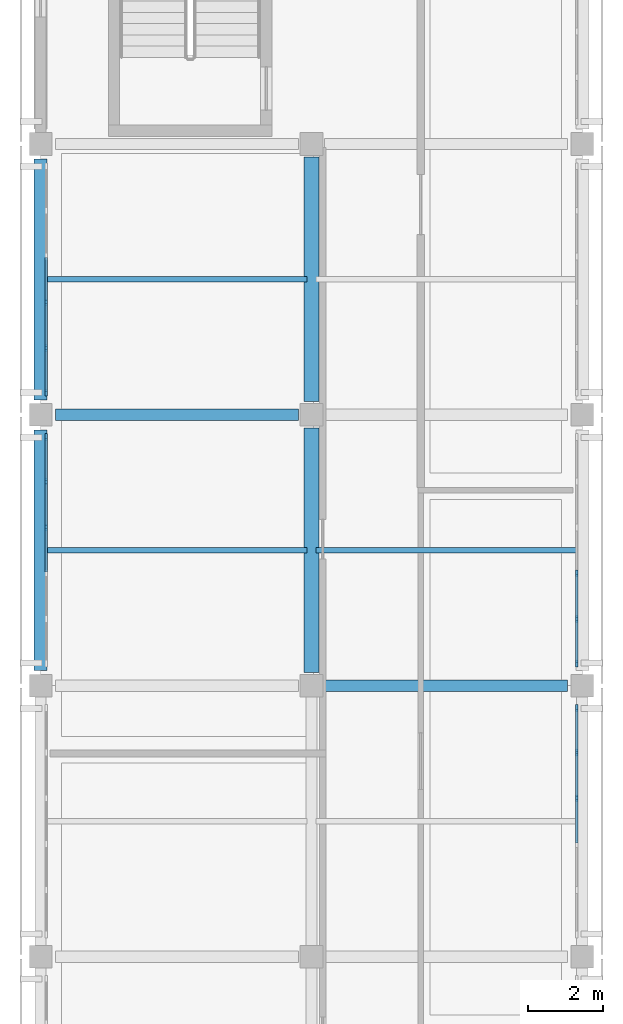
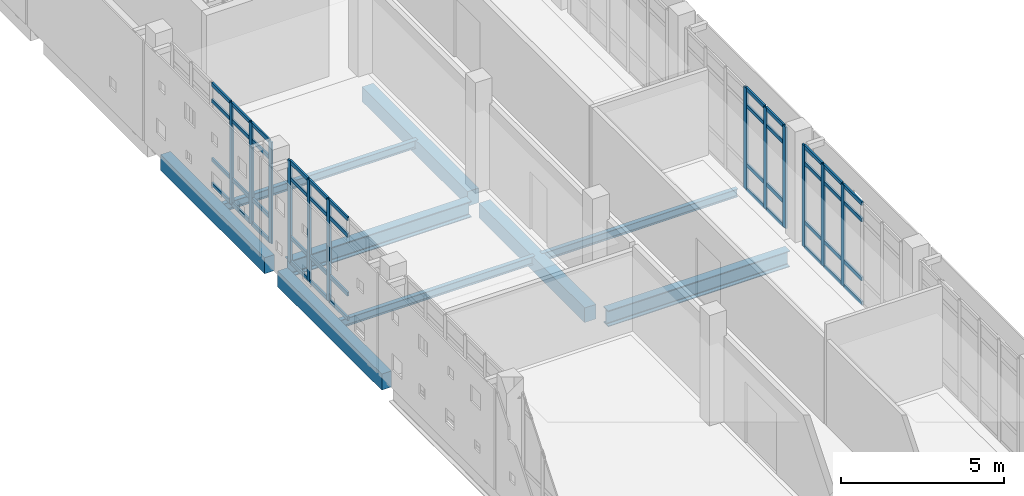
# One storey, part 6 of 21: 56 members, 9 beams, 4 elements without a shape of their own.
"""IFC4 building model written with IfcOpenShell, lengths in metres."""

from ifc_helpers import new_model, si_unit, direction, frame, origin, origin_2d, place, context, subcontext, project, spatial, rectangle, i_section, extrude, material, layer, layer_set, material_profile, profile_set, type_object, element, aggregate, save


model = new_model("IFC4")

# Units and contexts
model_context = context("Model", 3, precision=1e-05, world=origin(), true_north=direction((0.0, 1.0)))
body_context = subcontext(model_context, "Body", "Model", "MODEL_VIEW")
ifc_project = project(units=[si_unit("LENGTHUNIT", "METRE"), si_unit("AREAUNIT", "SQUARE_METRE"), si_unit("VOLUMEUNIT", "CUBIC_METRE"), si_unit("PLANEANGLEUNIT", "RADIAN"), si_unit("MASSUNIT", "GRAM", prefix="KILO")], contexts=[model_context])

# Site, building, storey
site_placement = place(None, origin())
site = spatial("IfcSite", under=ifc_project, at=site_placement, CompositionType="ELEMENT")
building_placement = place(site_placement, origin())
building = spatial("IfcBuilding", under=site, at=building_placement, Name="Valkovuoma Quantum and Materials Research Institute", CompositionType="ELEMENT")
storey_placement = place(building_placement, frame((0.0, 0.0, 29.760009765625)))
storey = spatial("IfcBuildingStorey", under=building, at=storey_placement, Name="L07", CompositionType="ELEMENT", Elevation=29.760009765625)

# Beams
ifc_material_1 = material(Name="Steel S355J2", Category="steel")
ifc_material_profile_1 = material_profile(ifc_material_1, i_section(OverallWidth=0.300048828125, OverallDepth=0.60009765625, WebThickness=0.015380859375, FlangeThickness=0.030029296875, FilletRadius=0.027099609375, at=origin_2d()), Name="Steel S355J2")
ifc_profile_set_1 = profile_set([ifc_material_profile_1], Name="Steel S355J2")
beam_type_1 = type_object("IfcBeamType", Name="Beam-B-HEB600", PredefinedType="BEAM", material=ifc_profile_set_1)
beam_1_placement = place(storey_placement, frame((7.550048828125, 57.60009765625, -0.64990234375), z_axis=(1.0, 0.0, 0.0), x_axis=(0.0, 1.0, 0.0)))
element("IfcBeam", 1, at=beam_1_placement, inside=storey, type_object=beam_type_1, Name="L07 beam X-2499", PredefinedType="BEAM", context=body_context, shape_type="SweptSolid", body=[
    extrude(i_section(OverallWidth=0.300048828125, OverallDepth=0.60009765625, WebThickness=0.015380859375, FlangeThickness=0.030029296875, FilletRadius=0.027099609375, at=origin_2d()), origin(), (0.0, 0.0, 1.0), 6.449951171875),
])
beam_2_placement = place(storey_placement, frame((0.39990234375, 64.800048828125, -0.64990234375), z_axis=(1.0, 0.0, 0.0), x_axis=(0.0, 1.0, 0.0)))
element("IfcBeam", 2, at=beam_2_placement, inside=storey, type_object=beam_type_1, Name="L07 beam X-2500", PredefinedType="BEAM", context=body_context, shape_type="SweptSolid", body=[
    extrude(i_section(OverallWidth=0.300048828125, OverallDepth=0.60009765625, WebThickness=0.015380859375, FlangeThickness=0.030029296875, FilletRadius=0.027099609375, at=origin_2d()), origin(), (0.0, 0.0, 1.0), 6.4501953125),
])
ifc_material_2 = material(Name="Steel S355J2", Category="steel")
ifc_material_profile_2 = material_profile(ifc_material_2, i_section(OverallWidth=0.14990234375, OverallDepth=0.300048828125, WebThickness=0.007080078125, FlangeThickness=0.0107421875, FilletRadius=0.014892578125, at=origin_2d()), Name="Steel S355J2")
ifc_profile_set_2 = profile_set([ifc_material_profile_2], Name="Steel S355J2")
beam_type_2 = type_object("IfcBeamType", Name="Beam-B-JST300", PredefinedType="JOIST", material=ifc_profile_set_2)
for number, where, z_axis, x_axis, name in (
    (3, (0.1201171875, 61.199951171875, -0.5), (1.0, 0.0, 0.0), (0.0, 1.0, 0.0), "L07 floor joist 2526"),
    (4, (7.320068359375, 61.199951171875, -0.5), (1.0, 0.0, 0.0), (0.0, 1.0, 0.0), "L07 floor joist 2527"),
    (5, (0.1201171875, 68.39990234375, -0.5), (1.0, 0.0, 0.0), (0.0, 1.0, 0.0), "L07 floor joist 2528"),
):
    element("IfcBeam", number, at=place(storey_placement, frame(where, z_axis=z_axis, x_axis=x_axis)), inside=storey, type_object=beam_type_2, Name=name, PredefinedType="JOIST", context=body_context, shape_type="SweptSolid", body=[
        extrude(i_section(OverallWidth=0.14990234375, OverallDepth=0.300048828125, WebThickness=0.007080078125, FlangeThickness=0.0107421875, FilletRadius=0.014892578125, at=origin_2d()), origin(), (0.0, 0.0, 1.0), 6.9599609375),
    ])
ifc_material_3 = material(Name="Concrete C40/50", Category="concrete")
ifc_material_profile_3 = material_profile(ifc_material_3, rectangle(XDim=0.39990234375, YDim=0.550048828125, at=origin_2d()), Name="Concrete C40/50")
ifc_profile_set_3 = profile_set([ifc_material_profile_3], Name="Concrete C40/50")
beam_type_3 = type_object("IfcBeamType", Name="Beam-B-RC550", PredefinedType="BEAM", material=ifc_profile_set_3)
for number, where, z_axis, x_axis, name in (
    (6, (7.199951171875, 57.949951171875, -0.625), (0.0, 1.0, 0.0), (-1.0, 0.0, 0.0), "L07 beam Y-2513"),
    (7, (7.199951171875, 65.14990234375, -0.625), (0.0, 1.0, 0.0), (-1.0, 0.0, 0.0), "L07 beam Y-2514"),
):
    element("IfcBeam", number, at=place(storey_placement, frame(where, z_axis=z_axis, x_axis=x_axis)), inside=storey, type_object=beam_type_3, Name=name, PredefinedType="BEAM", context=body_context, shape_type="SweptSolid", body=[
        extrude(rectangle(XDim=0.39990234375, YDim=0.550048828125, at=origin_2d()), origin(), (0.0, 0.0, 1.0), 6.5),
    ])
ifc_material_4 = material(Name="Concrete C40/50", Category="concrete")
ifc_material_profile_4 = material_profile(ifc_material_4, rectangle(XDim=0.35009765625, YDim=0.60009765625, at=origin_2d()), Name="Concrete C40/50")
ifc_profile_set_4 = profile_set([ifc_material_profile_4], Name="Concrete C40/50")
beam_type_4 = type_object("IfcBeamType", Name="Beam-B-SPN600", PredefinedType="SPANDREL", material=ifc_profile_set_4)
beam_3_placement = place(storey_placement, frame((0.0, 58.0, -0.64990234375), z_axis=(0.0, 1.0, 0.0), x_axis=(-1.0, 0.0, 0.0)))
element("IfcBeam", 8, at=beam_3_placement, inside=storey, type_object=beam_type_4, Name="L07 beam Y-2508", PredefinedType="SPANDREL", context=body_context, shape_type="SweptSolid", body=[
    extrude(rectangle(XDim=0.35009765625, YDim=0.60009765625, at=origin_2d()), origin(), (0.0, 0.0, 1.0), 6.39990234375),
])
beam_4_placement = place(storey_placement, frame((0.0, 65.199951171875, -0.64990234375), z_axis=(0.0, 1.0, 0.0), x_axis=(-1.0, 0.0, 0.0)))
element("IfcBeam", 9, at=beam_4_placement, inside=storey, type_object=beam_type_4, Name="L07 beam Y-2509", PredefinedType="SPANDREL", context=body_context, shape_type="SweptSolid", body=[
    extrude(rectangle(XDim=0.35009765625, YDim=0.60009765625, at=origin_2d()), origin(), (0.0, 0.0, 1.0), 6.400146484375),
])

# Curtain wall, members
ifc_material_5 = material(Name="Thermally broken aluminium and triple low-E glazing", Category="aluminium")
ifc_layer = layer(ifc_material_5, 0.219970703125)
ifc_layer_set = layer_set([ifc_layer], Name="Thermally broken aluminium and triple low-E glazing")
curtain_wall_type = type_object("IfcCurtainWallType", Name="CW-CW-01", PredefinedType="NOTDEFINED", material=ifc_layer_set)
curtain_wall_1_placement = place(storey_placement, origin())
curtain_wall_1 = element("IfcCurtainWall", 10, at=curtain_wall_1_placement, inside=storey, type_object=curtain_wall_type, Name="L07 curtain wall 099", PredefinedType="NOTDEFINED")
ifc_material_6 = material(Name="Anodised aluminium 6060-T66", Category="aluminium")
ifc_material_profile_5 = material_profile(ifc_material_6, rectangle(XDim=0.06494140625, YDim=0.179931640625, at=origin_2d()), Name="Anodised aluminium 6060-T66")
ifc_profile_set_5 = profile_set([ifc_material_profile_5], Name="Anodised aluminium 6060-T66")
member_type_1 = type_object("IfcMemberType", Name="CWMull-CWM-01", PredefinedType="MULLION", material=ifc_profile_set_5)
member_1_placement = place(storey_placement, frame((14.25, 54.608642578125, 0.0), z_axis=(0.0, 0.0, 1.0), x_axis=(-1.0, 0.0, 0.0)))
member_1 = element("IfcMember", 11, at=member_1_placement, type_object=member_type_1, Name="CW-01 mullion 4", PredefinedType="MULLION", context=body_context, shape_type="SweptSolid", body=[
    extrude(rectangle(XDim=0.06494140625, YDim=0.179931640625, at=origin_2d()), origin(), (0.0, 0.0, 1.0), 3.81005859375),
])
member_2_placement = place(storey_placement, frame((14.25, 55.82568359375, 0.0), z_axis=(0.0, 0.0, 1.0), x_axis=(-1.0, 0.0, 0.0)))
member_2 = element("IfcMember", 12, at=member_2_placement, type_object=member_type_1, Name="CW-01 mullion 5", PredefinedType="MULLION", context=body_context, shape_type="SweptSolid", body=[
    extrude(rectangle(XDim=0.06494140625, YDim=0.179931640625, at=origin_2d()), origin(), (0.0, 0.0, 1.0), 3.81005859375),
])
member_3_placement = place(storey_placement, frame((14.25, 57.010498046875, 0.0), z_axis=(0.0, 0.0, 1.0), x_axis=(-1.0, 0.0, 0.0)))
member_3 = element("IfcMember", 13, at=member_3_placement, type_object=member_type_1, Name="CW-01 mullion 6", PredefinedType="MULLION", context=body_context, shape_type="SweptSolid", body=[
    extrude(rectangle(XDim=0.06494140625, YDim=0.179931640625, at=origin_2d()), origin(), (0.0, 0.0, 1.0), 3.81005859375),
])

curtain_wall_2_placement = place(storey_placement, origin())
curtain_wall_2 = element("IfcCurtainWall", 14, at=curtain_wall_2_placement, inside=storey, type_object=curtain_wall_type, Name="L07 curtain wall 100", PredefinedType="NOTDEFINED")
member_4_placement = place(storey_placement, frame((0.14990234375, 61.80859375, 0.0), z_axis=(0.0, 0.0, 1.0), x_axis=(-1.0, 0.0, 0.0)))
member_4 = element("IfcMember", 15, at=member_4_placement, type_object=member_type_1, Name="CW-01 mullion 4", PredefinedType="MULLION", context=body_context, shape_type="SweptSolid", body=[
    extrude(rectangle(XDim=0.06494140625, YDim=0.179931640625, at=origin_2d()), origin(), (0.0, 0.0, 1.0), 3.81005859375),
])
member_5_placement = place(storey_placement, frame((0.14990234375, 63.025634765625, 0.0), z_axis=(0.0, 0.0, 1.0), x_axis=(-1.0, 0.0, 0.0)))
member_5 = element("IfcMember", 16, at=member_5_placement, type_object=member_type_1, Name="CW-01 mullion 5", PredefinedType="MULLION", context=body_context, shape_type="SweptSolid", body=[
    extrude(rectangle(XDim=0.06494140625, YDim=0.179931640625, at=origin_2d()), origin(), (0.0, 0.0, 1.0), 3.81005859375),
])
member_6_placement = place(storey_placement, frame((0.14990234375, 64.21044921875, 0.0), z_axis=(0.0, 0.0, 1.0), x_axis=(-1.0, 0.0, 0.0)))
member_6 = element("IfcMember", 17, at=member_6_placement, type_object=member_type_1, Name="CW-01 mullion 6", PredefinedType="MULLION", context=body_context, shape_type="SweptSolid", body=[
    extrude(rectangle(XDim=0.06494140625, YDim=0.179931640625, at=origin_2d()), origin(), (0.0, 0.0, 1.0), 3.81005859375),
])

curtain_wall_3_placement = place(storey_placement, origin())
curtain_wall_3 = element("IfcCurtainWall", 18, at=curtain_wall_3_placement, inside=storey, type_object=curtain_wall_type, Name="L07 curtain wall 101", PredefinedType="NOTDEFINED")
member_7_placement = place(storey_placement, frame((14.25, 58.189697265625, 0.0), z_axis=(0.0, 0.0, 1.0), x_axis=(-1.0, 0.0, 0.0)))
member_7 = element("IfcMember", 19, at=member_7_placement, type_object=member_type_1, Name="CW-01 mullion 1", PredefinedType="MULLION", context=body_context, shape_type="SweptSolid", body=[
    extrude(rectangle(XDim=0.06494140625, YDim=0.179931640625, at=origin_2d()), origin(), (0.0, 0.0, 1.0), 3.81005859375),
])
member_8_placement = place(storey_placement, frame((14.25, 59.374267578125, 0.0), z_axis=(0.0, 0.0, 1.0), x_axis=(-1.0, 0.0, 0.0)))
member_8 = element("IfcMember", 20, at=member_8_placement, type_object=member_type_1, Name="CW-01 mullion 2", PredefinedType="MULLION", context=body_context, shape_type="SweptSolid", body=[
    extrude(rectangle(XDim=0.06494140625, YDim=0.179931640625, at=origin_2d()), origin(), (0.0, 0.0, 1.0), 3.81005859375),
])
member_9_placement = place(storey_placement, frame((14.25, 60.59130859375, 0.0), z_axis=(0.0, 0.0, 1.0), x_axis=(-1.0, 0.0, 0.0)))
member_9 = element("IfcMember", 21, at=member_9_placement, type_object=member_type_1, Name="CW-01 mullion 3", PredefinedType="MULLION", context=body_context, shape_type="SweptSolid", body=[
    extrude(rectangle(XDim=0.06494140625, YDim=0.179931640625, at=origin_2d()), origin(), (0.0, 0.0, 1.0), 3.81005859375),
])

curtain_wall_4_placement = place(storey_placement, origin())
curtain_wall_4 = element("IfcCurtainWall", 22, at=curtain_wall_4_placement, inside=storey, type_object=curtain_wall_type, Name="L07 curtain wall 102", PredefinedType="NOTDEFINED")
member_10_placement = place(storey_placement, frame((0.14990234375, 65.3896484375, 0.0), z_axis=(0.0, 0.0, 1.0), x_axis=(-1.0, 0.0, 0.0)))
member_10 = element("IfcMember", 23, at=member_10_placement, type_object=member_type_1, Name="CW-01 mullion 1", PredefinedType="MULLION", context=body_context, shape_type="SweptSolid", body=[
    extrude(rectangle(XDim=0.06494140625, YDim=0.179931640625, at=origin_2d()), origin(), (0.0, 0.0, 1.0), 3.81005859375),
])
member_11_placement = place(storey_placement, frame((0.14990234375, 66.57421875, 0.0), z_axis=(0.0, 0.0, 1.0), x_axis=(-1.0, 0.0, 0.0)))
member_11 = element("IfcMember", 24, at=member_11_placement, type_object=member_type_1, Name="CW-01 mullion 2", PredefinedType="MULLION", context=body_context, shape_type="SweptSolid", body=[
    extrude(rectangle(XDim=0.06494140625, YDim=0.179931640625, at=origin_2d()), origin(), (0.0, 0.0, 1.0), 3.81005859375),
])
member_12_placement = place(storey_placement, frame((0.14990234375, 67.79150390625, 0.0), z_axis=(0.0, 0.0, 1.0), x_axis=(-1.0, 0.0, 0.0)))
member_12 = element("IfcMember", 25, at=member_12_placement, type_object=member_type_1, Name="CW-01 mullion 3", PredefinedType="MULLION", context=body_context, shape_type="SweptSolid", body=[
    extrude(rectangle(XDim=0.06494140625, YDim=0.179931640625, at=origin_2d()), origin(), (0.0, 0.0, 1.0), 3.81005859375),
])

# Member
ifc_material_7 = material(Name="Anodised aluminium 6060-T66", Category="aluminium")
ifc_material_profile_6 = material_profile(ifc_material_7, rectangle(XDim=0.06494140625, YDim=0.139892578125, at=origin_2d()), Name="Anodised aluminium 6060-T66")
ifc_profile_set_6 = profile_set([ifc_material_profile_6], Name="Anodised aluminium 6060-T66")
member_type_2 = type_object("IfcMemberType", Name="CWTran-CWT-01", PredefinedType="USERDEFINED", material=ifc_profile_set_6)
member_13_placement = place(storey_placement, frame((14.25, 53.423828125, 0.032470703125), z_axis=(0.0, 1.0, 0.0), x_axis=(-1.0, 0.0, 0.0)))
member_13 = element("IfcMember", 26, at=member_13_placement, type_object=member_type_2, Name="CW-01 transom 3.1", ObjectType="TRANSOM", PredefinedType="USERDEFINED", context=body_context, shape_type="SweptSolid", body=[
    extrude(rectangle(XDim=0.06494140625, YDim=0.139892578125, at=origin_2d()), origin(), (0.0, 0.0, 1.0), 1.15234375),
])

member_14_placement = place(storey_placement, frame((14.25, 53.423828125, 0.949951171875), z_axis=(0.0, 1.0, 0.0), x_axis=(-1.0, 0.0, 0.0)))
member_14 = element("IfcMember", 27, at=member_14_placement, type_object=member_type_2, Name="CW-01 transom 3.2", ObjectType="TRANSOM", PredefinedType="USERDEFINED", context=body_context, shape_type="SweptSolid", body=[
    extrude(rectangle(XDim=0.06494140625, YDim=0.139892578125, at=origin_2d()), origin(), (0.0, 0.0, 1.0), 1.15234375),
])

member_15_placement = place(storey_placement, frame((14.25, 53.423828125, 3.159912109375), z_axis=(0.0, 1.0, 0.0), x_axis=(-1.0, 0.0, 0.0)))
member_15 = element("IfcMember", 28, at=member_15_placement, type_object=member_type_2, Name="CW-01 transom 3.3", ObjectType="TRANSOM", PredefinedType="USERDEFINED", context=body_context, shape_type="SweptSolid", body=[
    extrude(rectangle(XDim=0.06494140625, YDim=0.139892578125, at=origin_2d()), origin(), (0.0, 0.0, 1.0), 1.15234375),
])

member_16_placement = place(storey_placement, frame((14.25, 53.423828125, 3.777587890625), z_axis=(0.0, 1.0, 0.0), x_axis=(-1.0, 0.0, 0.0)))
member_16 = element("IfcMember", 29, at=member_16_placement, type_object=member_type_2, Name="CW-01 transom 3.4", ObjectType="TRANSOM", PredefinedType="USERDEFINED", context=body_context, shape_type="SweptSolid", body=[
    extrude(rectangle(XDim=0.06494140625, YDim=0.139892578125, at=origin_2d()), origin(), (0.0, 0.0, 1.0), 1.15234375),
])

member_17_placement = place(storey_placement, frame((14.25, 54.64111328125, 0.032470703125), z_axis=(0.0, 1.0, 0.0), x_axis=(-1.0, 0.0, 0.0)))
member_17 = element("IfcMember", 30, at=member_17_placement, type_object=member_type_2, Name="CW-01 transom 4.1", ObjectType="TRANSOM", PredefinedType="USERDEFINED", context=body_context, shape_type="SweptSolid", body=[
    extrude(rectangle(XDim=0.06494140625, YDim=0.139892578125, at=origin_2d()), origin(), (0.0, 0.0, 1.0), 1.152099609375),
])

member_18_placement = place(storey_placement, frame((14.25, 54.64111328125, 0.949951171875), z_axis=(0.0, 1.0, 0.0), x_axis=(-1.0, 0.0, 0.0)))
member_18 = element("IfcMember", 31, at=member_18_placement, type_object=member_type_2, Name="CW-01 transom 4.2", ObjectType="TRANSOM", PredefinedType="USERDEFINED", context=body_context, shape_type="SweptSolid", body=[
    extrude(rectangle(XDim=0.06494140625, YDim=0.139892578125, at=origin_2d()), origin(), (0.0, 0.0, 1.0), 1.152099609375),
])

member_19_placement = place(storey_placement, frame((14.25, 54.64111328125, 3.159912109375), z_axis=(0.0, 1.0, 0.0), x_axis=(-1.0, 0.0, 0.0)))
member_19 = element("IfcMember", 32, at=member_19_placement, type_object=member_type_2, Name="CW-01 transom 4.3", ObjectType="TRANSOM", PredefinedType="USERDEFINED", context=body_context, shape_type="SweptSolid", body=[
    extrude(rectangle(XDim=0.06494140625, YDim=0.139892578125, at=origin_2d()), origin(), (0.0, 0.0, 1.0), 1.152099609375),
])

member_20_placement = place(storey_placement, frame((14.25, 54.64111328125, 3.777587890625), z_axis=(0.0, 1.0, 0.0), x_axis=(-1.0, 0.0, 0.0)))
member_20 = element("IfcMember", 33, at=member_20_placement, type_object=member_type_2, Name="CW-01 transom 4.4", ObjectType="TRANSOM", PredefinedType="USERDEFINED", context=body_context, shape_type="SweptSolid", body=[
    extrude(rectangle(XDim=0.06494140625, YDim=0.139892578125, at=origin_2d()), origin(), (0.0, 0.0, 1.0), 1.152099609375),
])

member_21_placement = place(storey_placement, frame((14.25, 55.858154296875, 0.032470703125), z_axis=(0.0, 1.0, 0.0), x_axis=(-1.0, 0.0, 0.0)))
member_21 = element("IfcMember", 34, at=member_21_placement, type_object=member_type_2, Name="CW-01 transom 5.1", ObjectType="TRANSOM", PredefinedType="USERDEFINED", context=body_context, shape_type="SweptSolid", body=[
    extrude(rectangle(XDim=0.06494140625, YDim=0.139892578125, at=origin_2d()), origin(), (0.0, 0.0, 1.0), 1.11962890625),
])

member_22_placement = place(storey_placement, frame((14.25, 55.858154296875, 0.949951171875), z_axis=(0.0, 1.0, 0.0), x_axis=(-1.0, 0.0, 0.0)))
member_22 = element("IfcMember", 35, at=member_22_placement, type_object=member_type_2, Name="CW-01 transom 5.2", ObjectType="TRANSOM", PredefinedType="USERDEFINED", context=body_context, shape_type="SweptSolid", body=[
    extrude(rectangle(XDim=0.06494140625, YDim=0.139892578125, at=origin_2d()), origin(), (0.0, 0.0, 1.0), 1.11962890625),
])

member_23_placement = place(storey_placement, frame((14.25, 55.858154296875, 3.159912109375), z_axis=(0.0, 1.0, 0.0), x_axis=(-1.0, 0.0, 0.0)))
member_23 = element("IfcMember", 36, at=member_23_placement, type_object=member_type_2, Name="CW-01 transom 5.3", ObjectType="TRANSOM", PredefinedType="USERDEFINED", context=body_context, shape_type="SweptSolid", body=[
    extrude(rectangle(XDim=0.06494140625, YDim=0.139892578125, at=origin_2d()), origin(), (0.0, 0.0, 1.0), 1.11962890625),
])

member_24_placement = place(storey_placement, frame((14.25, 55.858154296875, 3.777587890625), z_axis=(0.0, 1.0, 0.0), x_axis=(-1.0, 0.0, 0.0)))
member_24 = element("IfcMember", 37, at=member_24_placement, type_object=member_type_2, Name="CW-01 transom 5.4", ObjectType="TRANSOM", PredefinedType="USERDEFINED", context=body_context, shape_type="SweptSolid", body=[
    extrude(rectangle(XDim=0.06494140625, YDim=0.139892578125, at=origin_2d()), origin(), (0.0, 0.0, 1.0), 1.11962890625),
])

aggregate(curtain_wall_1, [member_1, member_2, member_3, member_13, member_14, member_15, member_16, member_17, member_18, member_19, member_20, member_21, member_22, member_23, member_24])

member_25_placement = place(storey_placement, frame((0.14990234375, 60.6240234375, 0.032470703125), z_axis=(0.0, 1.0, 0.0), x_axis=(-1.0, 0.0, 0.0)))
member_25 = element("IfcMember", 38, at=member_25_placement, type_object=member_type_2, Name="CW-01 transom 3.1", ObjectType="TRANSOM", PredefinedType="USERDEFINED", context=body_context, shape_type="SweptSolid", body=[
    extrude(rectangle(XDim=0.06494140625, YDim=0.139892578125, at=origin_2d()), origin(), (0.0, 0.0, 1.0), 1.152099609375),
])

member_26_placement = place(storey_placement, frame((0.14990234375, 60.6240234375, 0.949951171875), z_axis=(0.0, 1.0, 0.0), x_axis=(-1.0, 0.0, 0.0)))
member_26 = element("IfcMember", 39, at=member_26_placement, type_object=member_type_2, Name="CW-01 transom 3.2", ObjectType="TRANSOM", PredefinedType="USERDEFINED", context=body_context, shape_type="SweptSolid", body=[
    extrude(rectangle(XDim=0.06494140625, YDim=0.139892578125, at=origin_2d()), origin(), (0.0, 0.0, 1.0), 1.152099609375),
])

member_27_placement = place(storey_placement, frame((0.14990234375, 60.6240234375, 3.159912109375), z_axis=(0.0, 1.0, 0.0), x_axis=(-1.0, 0.0, 0.0)))
member_27 = element("IfcMember", 40, at=member_27_placement, type_object=member_type_2, Name="CW-01 transom 3.3", ObjectType="TRANSOM", PredefinedType="USERDEFINED", context=body_context, shape_type="SweptSolid", body=[
    extrude(rectangle(XDim=0.06494140625, YDim=0.139892578125, at=origin_2d()), origin(), (0.0, 0.0, 1.0), 1.152099609375),
])

member_28_placement = place(storey_placement, frame((0.14990234375, 60.6240234375, 3.777587890625), z_axis=(0.0, 1.0, 0.0), x_axis=(-1.0, 0.0, 0.0)))
member_28 = element("IfcMember", 41, at=member_28_placement, type_object=member_type_2, Name="CW-01 transom 3.4", ObjectType="TRANSOM", PredefinedType="USERDEFINED", context=body_context, shape_type="SweptSolid", body=[
    extrude(rectangle(XDim=0.06494140625, YDim=0.139892578125, at=origin_2d()), origin(), (0.0, 0.0, 1.0), 1.152099609375),
])

member_29_placement = place(storey_placement, frame((0.14990234375, 61.841064453125, 0.032470703125), z_axis=(0.0, 1.0, 0.0), x_axis=(-1.0, 0.0, 0.0)))
member_29 = element("IfcMember", 42, at=member_29_placement, type_object=member_type_2, Name="CW-01 transom 4.1", ObjectType="TRANSOM", PredefinedType="USERDEFINED", context=body_context, shape_type="SweptSolid", body=[
    extrude(rectangle(XDim=0.06494140625, YDim=0.139892578125, at=origin_2d()), origin(), (0.0, 0.0, 1.0), 1.152099609375),
])

member_30_placement = place(storey_placement, frame((0.14990234375, 61.841064453125, 0.949951171875), z_axis=(0.0, 1.0, 0.0), x_axis=(-1.0, 0.0, 0.0)))
member_30 = element("IfcMember", 43, at=member_30_placement, type_object=member_type_2, Name="CW-01 transom 4.2", ObjectType="TRANSOM", PredefinedType="USERDEFINED", context=body_context, shape_type="SweptSolid", body=[
    extrude(rectangle(XDim=0.06494140625, YDim=0.139892578125, at=origin_2d()), origin(), (0.0, 0.0, 1.0), 1.152099609375),
])

member_31_placement = place(storey_placement, frame((0.14990234375, 61.841064453125, 3.159912109375), z_axis=(0.0, 1.0, 0.0), x_axis=(-1.0, 0.0, 0.0)))
member_31 = element("IfcMember", 44, at=member_31_placement, type_object=member_type_2, Name="CW-01 transom 4.3", ObjectType="TRANSOM", PredefinedType="USERDEFINED", context=body_context, shape_type="SweptSolid", body=[
    extrude(rectangle(XDim=0.06494140625, YDim=0.139892578125, at=origin_2d()), origin(), (0.0, 0.0, 1.0), 1.152099609375),
])

member_32_placement = place(storey_placement, frame((0.14990234375, 61.841064453125, 3.777587890625), z_axis=(0.0, 1.0, 0.0), x_axis=(-1.0, 0.0, 0.0)))
member_32 = element("IfcMember", 45, at=member_32_placement, type_object=member_type_2, Name="CW-01 transom 4.4", ObjectType="TRANSOM", PredefinedType="USERDEFINED", context=body_context, shape_type="SweptSolid", body=[
    extrude(rectangle(XDim=0.06494140625, YDim=0.139892578125, at=origin_2d()), origin(), (0.0, 0.0, 1.0), 1.152099609375),
])

member_33_placement = place(storey_placement, frame((0.14990234375, 63.058349609375, 0.032470703125), z_axis=(0.0, 1.0, 0.0), x_axis=(-1.0, 0.0, 0.0)))
member_33 = element("IfcMember", 46, at=member_33_placement, type_object=member_type_2, Name="CW-01 transom 5.1", ObjectType="TRANSOM", PredefinedType="USERDEFINED", context=body_context, shape_type="SweptSolid", body=[
    extrude(rectangle(XDim=0.06494140625, YDim=0.139892578125, at=origin_2d()), origin(), (0.0, 0.0, 1.0), 1.11962890625),
])

member_34_placement = place(storey_placement, frame((0.14990234375, 63.058349609375, 0.949951171875), z_axis=(0.0, 1.0, 0.0), x_axis=(-1.0, 0.0, 0.0)))
member_34 = element("IfcMember", 47, at=member_34_placement, type_object=member_type_2, Name="CW-01 transom 5.2", ObjectType="TRANSOM", PredefinedType="USERDEFINED", context=body_context, shape_type="SweptSolid", body=[
    extrude(rectangle(XDim=0.06494140625, YDim=0.139892578125, at=origin_2d()), origin(), (0.0, 0.0, 1.0), 1.11962890625),
])

member_35_placement = place(storey_placement, frame((0.14990234375, 63.058349609375, 3.159912109375), z_axis=(0.0, 1.0, 0.0), x_axis=(-1.0, 0.0, 0.0)))
member_35 = element("IfcMember", 48, at=member_35_placement, type_object=member_type_2, Name="CW-01 transom 5.3", ObjectType="TRANSOM", PredefinedType="USERDEFINED", context=body_context, shape_type="SweptSolid", body=[
    extrude(rectangle(XDim=0.06494140625, YDim=0.139892578125, at=origin_2d()), origin(), (0.0, 0.0, 1.0), 1.11962890625),
])

member_36_placement = place(storey_placement, frame((0.14990234375, 63.058349609375, 3.777587890625), z_axis=(0.0, 1.0, 0.0), x_axis=(-1.0, 0.0, 0.0)))
member_36 = element("IfcMember", 49, at=member_36_placement, type_object=member_type_2, Name="CW-01 transom 5.4", ObjectType="TRANSOM", PredefinedType="USERDEFINED", context=body_context, shape_type="SweptSolid", body=[
    extrude(rectangle(XDim=0.06494140625, YDim=0.139892578125, at=origin_2d()), origin(), (0.0, 0.0, 1.0), 1.11962890625),
])

aggregate(curtain_wall_2, [member_4, member_5, member_6, member_25, member_26, member_27, member_28, member_29, member_30, member_31, member_32, member_33, member_34, member_35, member_36])

member_37_placement = place(storey_placement, frame((14.25, 58.22216796875, 0.032470703125), z_axis=(0.0, 1.0, 0.0), x_axis=(-1.0, 0.0, 0.0)))
member_37 = element("IfcMember", 50, at=member_37_placement, type_object=member_type_2, Name="CW-01 transom 1.1", ObjectType="TRANSOM", PredefinedType="USERDEFINED", context=body_context, shape_type="SweptSolid", body=[
    extrude(rectangle(XDim=0.06494140625, YDim=0.139892578125, at=origin_2d()), origin(), (0.0, 0.0, 1.0), 1.11962890625),
])

member_38_placement = place(storey_placement, frame((14.25, 58.22216796875, 0.949951171875), z_axis=(0.0, 1.0, 0.0), x_axis=(-1.0, 0.0, 0.0)))
member_38 = element("IfcMember", 51, at=member_38_placement, type_object=member_type_2, Name="CW-01 transom 1.2", ObjectType="TRANSOM", PredefinedType="USERDEFINED", context=body_context, shape_type="SweptSolid", body=[
    extrude(rectangle(XDim=0.06494140625, YDim=0.139892578125, at=origin_2d()), origin(), (0.0, 0.0, 1.0), 1.11962890625),
])

member_39_placement = place(storey_placement, frame((14.25, 58.22216796875, 3.159912109375), z_axis=(0.0, 1.0, 0.0), x_axis=(-1.0, 0.0, 0.0)))
member_39 = element("IfcMember", 52, at=member_39_placement, type_object=member_type_2, Name="CW-01 transom 1.3", ObjectType="TRANSOM", PredefinedType="USERDEFINED", context=body_context, shape_type="SweptSolid", body=[
    extrude(rectangle(XDim=0.06494140625, YDim=0.139892578125, at=origin_2d()), origin(), (0.0, 0.0, 1.0), 1.11962890625),
])

member_40_placement = place(storey_placement, frame((14.25, 58.22216796875, 3.777587890625), z_axis=(0.0, 1.0, 0.0), x_axis=(-1.0, 0.0, 0.0)))
member_40 = element("IfcMember", 53, at=member_40_placement, type_object=member_type_2, Name="CW-01 transom 1.4", ObjectType="TRANSOM", PredefinedType="USERDEFINED", context=body_context, shape_type="SweptSolid", body=[
    extrude(rectangle(XDim=0.06494140625, YDim=0.139892578125, at=origin_2d()), origin(), (0.0, 0.0, 1.0), 1.11962890625),
])

member_41_placement = place(storey_placement, frame((14.25, 59.40673828125, 0.032470703125), z_axis=(0.0, 1.0, 0.0), x_axis=(-1.0, 0.0, 0.0)))
member_41 = element("IfcMember", 54, at=member_41_placement, type_object=member_type_2, Name="CW-01 transom 2.1", ObjectType="TRANSOM", PredefinedType="USERDEFINED", context=body_context, shape_type="SweptSolid", body=[
    extrude(rectangle(XDim=0.06494140625, YDim=0.139892578125, at=origin_2d()), origin(), (0.0, 0.0, 1.0), 1.152099609375),
])

member_42_placement = place(storey_placement, frame((14.25, 59.40673828125, 0.949951171875), z_axis=(0.0, 1.0, 0.0), x_axis=(-1.0, 0.0, 0.0)))
member_42 = element("IfcMember", 55, at=member_42_placement, type_object=member_type_2, Name="CW-01 transom 2.2", ObjectType="TRANSOM", PredefinedType="USERDEFINED", context=body_context, shape_type="SweptSolid", body=[
    extrude(rectangle(XDim=0.06494140625, YDim=0.139892578125, at=origin_2d()), origin(), (0.0, 0.0, 1.0), 1.152099609375),
])

member_43_placement = place(storey_placement, frame((14.25, 59.40673828125, 3.159912109375), z_axis=(0.0, 1.0, 0.0), x_axis=(-1.0, 0.0, 0.0)))
member_43 = element("IfcMember", 56, at=member_43_placement, type_object=member_type_2, Name="CW-01 transom 2.3", ObjectType="TRANSOM", PredefinedType="USERDEFINED", context=body_context, shape_type="SweptSolid", body=[
    extrude(rectangle(XDim=0.06494140625, YDim=0.139892578125, at=origin_2d()), origin(), (0.0, 0.0, 1.0), 1.152099609375),
])

member_44_placement = place(storey_placement, frame((14.25, 59.40673828125, 3.777587890625), z_axis=(0.0, 1.0, 0.0), x_axis=(-1.0, 0.0, 0.0)))
member_44 = element("IfcMember", 57, at=member_44_placement, type_object=member_type_2, Name="CW-01 transom 2.4", ObjectType="TRANSOM", PredefinedType="USERDEFINED", context=body_context, shape_type="SweptSolid", body=[
    extrude(rectangle(XDim=0.06494140625, YDim=0.139892578125, at=origin_2d()), origin(), (0.0, 0.0, 1.0), 1.152099609375),
])

aggregate(curtain_wall_3, [member_7, member_8, member_9, member_37, member_38, member_39, member_40, member_41, member_42, member_43, member_44])

member_45_placement = place(storey_placement, frame((0.14990234375, 65.422119140625, 0.032470703125), z_axis=(0.0, 1.0, 0.0), x_axis=(-1.0, 0.0, 0.0)))
member_45 = element("IfcMember", 58, at=member_45_placement, type_object=member_type_2, Name="CW-01 transom 1.1", ObjectType="TRANSOM", PredefinedType="USERDEFINED", context=body_context, shape_type="SweptSolid", body=[
    extrude(rectangle(XDim=0.06494140625, YDim=0.139892578125, at=origin_2d()), origin(), (0.0, 0.0, 1.0), 1.11962890625),
])

member_46_placement = place(storey_placement, frame((0.14990234375, 65.422119140625, 0.949951171875), z_axis=(0.0, 1.0, 0.0), x_axis=(-1.0, 0.0, 0.0)))
member_46 = element("IfcMember", 59, at=member_46_placement, type_object=member_type_2, Name="CW-01 transom 1.2", ObjectType="TRANSOM", PredefinedType="USERDEFINED", context=body_context, shape_type="SweptSolid", body=[
    extrude(rectangle(XDim=0.06494140625, YDim=0.139892578125, at=origin_2d()), origin(), (0.0, 0.0, 1.0), 1.11962890625),
])

member_47_placement = place(storey_placement, frame((0.14990234375, 65.422119140625, 3.159912109375), z_axis=(0.0, 1.0, 0.0), x_axis=(-1.0, 0.0, 0.0)))
member_47 = element("IfcMember", 60, at=member_47_placement, type_object=member_type_2, Name="CW-01 transom 1.3", ObjectType="TRANSOM", PredefinedType="USERDEFINED", context=body_context, shape_type="SweptSolid", body=[
    extrude(rectangle(XDim=0.06494140625, YDim=0.139892578125, at=origin_2d()), origin(), (0.0, 0.0, 1.0), 1.11962890625),
])

member_48_placement = place(storey_placement, frame((0.14990234375, 65.422119140625, 3.777587890625), z_axis=(0.0, 1.0, 0.0), x_axis=(-1.0, 0.0, 0.0)))
member_48 = element("IfcMember", 61, at=member_48_placement, type_object=member_type_2, Name="CW-01 transom 1.4", ObjectType="TRANSOM", PredefinedType="USERDEFINED", context=body_context, shape_type="SweptSolid", body=[
    extrude(rectangle(XDim=0.06494140625, YDim=0.139892578125, at=origin_2d()), origin(), (0.0, 0.0, 1.0), 1.11962890625),
])

member_49_placement = place(storey_placement, frame((0.14990234375, 66.606689453125, 0.032470703125), z_axis=(0.0, 1.0, 0.0), x_axis=(-1.0, 0.0, 0.0)))
member_49 = element("IfcMember", 62, at=member_49_placement, type_object=member_type_2, Name="CW-01 transom 2.1", ObjectType="TRANSOM", PredefinedType="USERDEFINED", context=body_context, shape_type="SweptSolid", body=[
    extrude(rectangle(XDim=0.06494140625, YDim=0.139892578125, at=origin_2d()), origin(), (0.0, 0.0, 1.0), 1.15234375),
])

member_50_placement = place(storey_placement, frame((0.14990234375, 66.606689453125, 0.949951171875), z_axis=(0.0, 1.0, 0.0), x_axis=(-1.0, 0.0, 0.0)))
member_50 = element("IfcMember", 63, at=member_50_placement, type_object=member_type_2, Name="CW-01 transom 2.2", ObjectType="TRANSOM", PredefinedType="USERDEFINED", context=body_context, shape_type="SweptSolid", body=[
    extrude(rectangle(XDim=0.06494140625, YDim=0.139892578125, at=origin_2d()), origin(), (0.0, 0.0, 1.0), 1.15234375),
])

member_51_placement = place(storey_placement, frame((0.14990234375, 66.606689453125, 3.159912109375), z_axis=(0.0, 1.0, 0.0), x_axis=(-1.0, 0.0, 0.0)))
member_51 = element("IfcMember", 64, at=member_51_placement, type_object=member_type_2, Name="CW-01 transom 2.3", ObjectType="TRANSOM", PredefinedType="USERDEFINED", context=body_context, shape_type="SweptSolid", body=[
    extrude(rectangle(XDim=0.06494140625, YDim=0.139892578125, at=origin_2d()), origin(), (0.0, 0.0, 1.0), 1.15234375),
])

member_52_placement = place(storey_placement, frame((0.14990234375, 66.606689453125, 3.777587890625), z_axis=(0.0, 1.0, 0.0), x_axis=(-1.0, 0.0, 0.0)))
member_52 = element("IfcMember", 65, at=member_52_placement, type_object=member_type_2, Name="CW-01 transom 2.4", ObjectType="TRANSOM", PredefinedType="USERDEFINED", context=body_context, shape_type="SweptSolid", body=[
    extrude(rectangle(XDim=0.06494140625, YDim=0.139892578125, at=origin_2d()), origin(), (0.0, 0.0, 1.0), 1.15234375),
])

member_53_placement = place(storey_placement, frame((0.14990234375, 67.823974609375, 0.032470703125), z_axis=(0.0, 1.0, 0.0), x_axis=(-1.0, 0.0, 0.0)))
member_53 = element("IfcMember", 66, at=member_53_placement, type_object=member_type_2, Name="CW-01 transom 3.1", ObjectType="TRANSOM", PredefinedType="USERDEFINED", context=body_context, shape_type="SweptSolid", body=[
    extrude(rectangle(XDim=0.06494140625, YDim=0.139892578125, at=origin_2d()), origin(), (0.0, 0.0, 1.0), 1.152099609375),
])

member_54_placement = place(storey_placement, frame((0.14990234375, 67.823974609375, 0.949951171875), z_axis=(0.0, 1.0, 0.0), x_axis=(-1.0, 0.0, 0.0)))
member_54 = element("IfcMember", 67, at=member_54_placement, type_object=member_type_2, Name="CW-01 transom 3.2", ObjectType="TRANSOM", PredefinedType="USERDEFINED", context=body_context, shape_type="SweptSolid", body=[
    extrude(rectangle(XDim=0.06494140625, YDim=0.139892578125, at=origin_2d()), origin(), (0.0, 0.0, 1.0), 1.152099609375),
])

member_55_placement = place(storey_placement, frame((0.14990234375, 67.823974609375, 3.159912109375), z_axis=(0.0, 1.0, 0.0), x_axis=(-1.0, 0.0, 0.0)))
member_55 = element("IfcMember", 68, at=member_55_placement, type_object=member_type_2, Name="CW-01 transom 3.3", ObjectType="TRANSOM", PredefinedType="USERDEFINED", context=body_context, shape_type="SweptSolid", body=[
    extrude(rectangle(XDim=0.06494140625, YDim=0.139892578125, at=origin_2d()), origin(), (0.0, 0.0, 1.0), 1.152099609375),
])

member_56_placement = place(storey_placement, frame((0.14990234375, 67.823974609375, 3.777587890625), z_axis=(0.0, 1.0, 0.0), x_axis=(-1.0, 0.0, 0.0)))
member_56 = element("IfcMember", 69, at=member_56_placement, type_object=member_type_2, Name="CW-01 transom 3.4", ObjectType="TRANSOM", PredefinedType="USERDEFINED", context=body_context, shape_type="SweptSolid", body=[
    extrude(rectangle(XDim=0.06494140625, YDim=0.139892578125, at=origin_2d()), origin(), (0.0, 0.0, 1.0), 1.152099609375),
])

aggregate(curtain_wall_4, [member_10, member_11, member_12, member_45, member_46, member_47, member_48, member_49, member_50, member_51, member_52, member_53, member_54, member_55, member_56])

save(model, "model.ifc")
